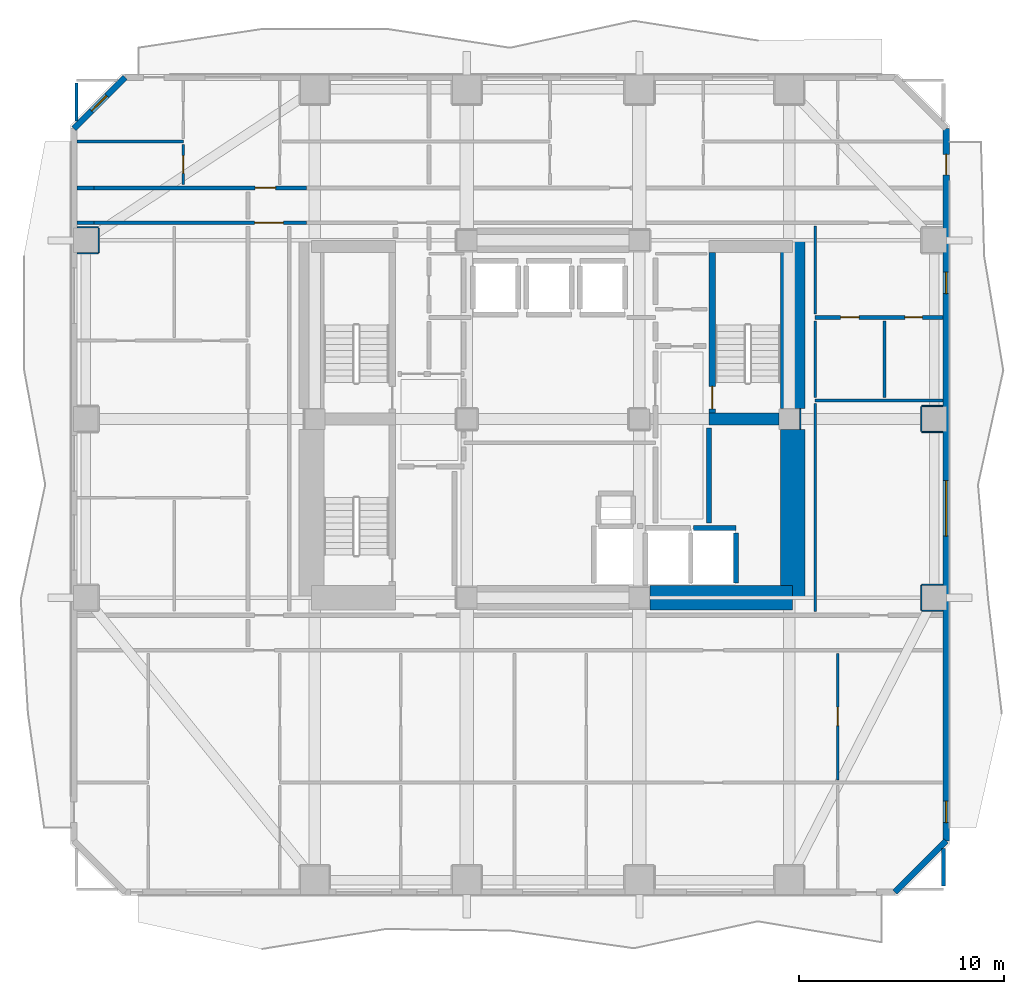
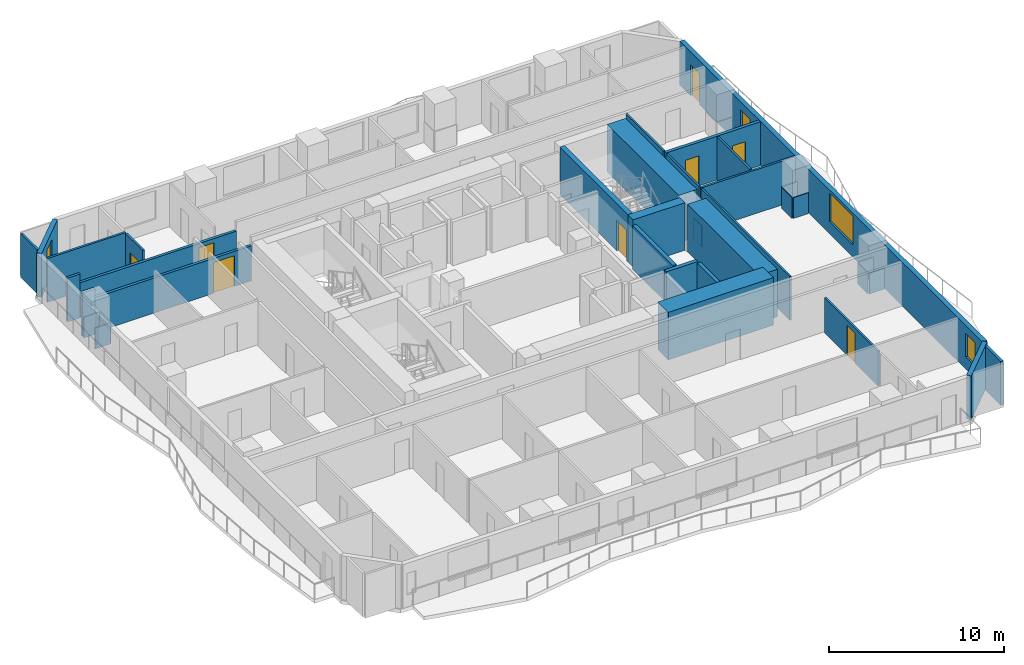
# One storey, part 5 of 11: 36 walls, 8 doors, 4 windows, 12 openings.
"""IFC4 building model written with IfcOpenShell, lengths in metres."""

from ifc_helpers import new_model, si_unit, direction, frame, frame_2d, origin, place, context, subcontext, project, spatial, rectangle, extrude, material, layer, layer_set, type_object, element, fill, save


model = new_model("IFC4")

# Units and contexts
model_context = context("Model", 3, precision=1e-05, world=origin(), true_north=direction((0.0, 1.0)))
body_context = subcontext(model_context, "Body", "Model", "MODEL_VIEW")
ifc_project = project(units=[si_unit("LENGTHUNIT", "METRE"), si_unit("AREAUNIT", "SQUARE_METRE"), si_unit("VOLUMEUNIT", "CUBIC_METRE"), si_unit("PLANEANGLEUNIT", "RADIAN"), si_unit("MASSUNIT", "GRAM", prefix="KILO")], contexts=[model_context])

# Site, building, storey
site_placement = place(None, origin())
site = spatial("IfcSite", under=ifc_project, at=site_placement, CompositionType="ELEMENT")
building_placement = place(site_placement, origin())
building = spatial("IfcBuilding", under=site, at=building_placement, Name="Solanera Arch Residences", CompositionType="ELEMENT")
storey_placement = place(building_placement, frame((0.0, 0.0, 28.639892578125)))
storey = spatial("IfcBuildingStorey", under=building, at=storey_placement, Name="L07", CompositionType="ELEMENT", Elevation=28.639892578125)

# Walls
ifc_material_1 = material(Name="Fire-Rated Gypsum Stud Partition", Category="gypsum")
ifc_layer_1 = layer(ifc_material_1, 0.06005859375)
ifc_layer_set_1 = layer_set([ifc_layer_1], Name="Fire-Rated Gypsum Stud Partition")
wall_type_1 = type_object("IfcWallType", Name="Column Acoustic Furring Wall 60", PredefinedType="PARTITIONING", material=ifc_layer_set_1)
wall_1_placement = place(storey_placement, frame((37.031982421875, 30.2099609375, 0.0), z_axis=(0.0, 0.0, 1.0), x_axis=(0.0, 1.0, 0.0)))
element("IfcWall", 1, at=wall_1_placement, inside=storey, type_object=wall_type_1, Name="L07 Column Furring 6E", PredefinedType="PARTITIONING", context=body_context, shape_type="SweptSolid", body=[
    extrude(rectangle(XDim=0.97998046875, YDim=0.06005859375, at=frame_2d((0.489990234375, 0.0))), origin(), (0.0, 0.0, 1.0), 1.4501953125),
])
for number, where, z_axis, x_axis, name in (
    (2, (42.949951171875, 21.367919921875, 0.0), (0.0, 0.0, 1.0), (1.0, 0.0, 0.0), "L07 Column Furring 18S"),
    (3, (42.949951171875, 22.632080078125, 0.0), (0.0, 0.0, 1.0), (1.0, 0.0, 0.0), "L07 Column Furring 18N"),
):
    element("IfcWall", number, at=place(storey_placement, frame(where, z_axis=z_axis, x_axis=x_axis)), inside=storey, type_object=wall_type_1, Name=name, PredefinedType="PARTITIONING", context=body_context, shape_type="SweptSolid", body=[
        extrude(rectangle(XDim=1.02001953125, YDim=0.06005859375, at=frame_2d((0.510009765625, 0.0))), origin(), (0.0, 0.0, 1.0), 1.4501953125),
    ])
wall_2_placement = place(storey_placement, frame((42.91796875, 21.39990234375, 0.0), z_axis=(0.0, 0.0, 1.0), x_axis=(0.0, 1.0, 0.0)))
element("IfcWall", 4, at=wall_2_placement, inside=storey, type_object=wall_type_1, Name="L07 Column Furring 18W", PredefinedType="PARTITIONING", context=body_context, shape_type="SweptSolid", body=[
    extrude(rectangle(XDim=1.2001953125, YDim=0.06005859375, at=frame_2d((0.60009765625, 0.0))), origin(), (0.0, 0.0, 1.0), 1.4501953125),
])
for number, where, z_axis, x_axis, name in (
    (5, (42.949951171875, 30.068115234375, 0.0), (0.0, 0.0, 1.0), (1.0, 0.0, 0.0), "L07 Column Furring 20S"),
    (6, (42.949951171875, 31.33203125, 0.0), (0.0, 0.0, 1.0), (1.0, 0.0, 0.0), "L07 Column Furring 20N"),
):
    element("IfcWall", number, at=place(storey_placement, frame(where, z_axis=z_axis, x_axis=x_axis)), inside=storey, type_object=wall_type_1, Name=name, PredefinedType="PARTITIONING", context=body_context, shape_type="SweptSolid", body=[
        extrude(rectangle(XDim=1.02001953125, YDim=0.06005859375, at=frame_2d((0.510009765625, 0.0))), origin(), (0.0, 0.0, 1.0), 1.4501953125),
    ])
wall_3_placement = place(storey_placement, frame((42.91796875, 30.10009765625, 0.0), z_axis=(0.0, 0.0, 1.0), x_axis=(0.0, 1.0, 0.0)))
element("IfcWall", 7, at=wall_3_placement, inside=storey, type_object=wall_type_1, Name="L07 Column Furring 20W", PredefinedType="PARTITIONING", context=body_context, shape_type="SweptSolid", body=[
    extrude(rectangle(XDim=1.199951171875, YDim=0.06005859375, at=frame_2d((0.60009765625, 0.0))), origin(), (0.0, 0.0, 1.0), 1.4501953125),
])
for number, where, z_axis, x_axis, name in (
    (8, (1.830078125, 38.76806640625, 0.0), (0.0, 0.0, 1.0), (1.0, 0.0, 0.0), "L07 Column Furring 21S"),
    (9, (1.830078125, 40.031982421875, 0.0), (0.0, 0.0, 1.0), (1.0, 0.0, 0.0), "L07 Column Furring 21N"),
):
    element("IfcWall", number, at=place(storey_placement, frame(where, z_axis=z_axis, x_axis=x_axis)), inside=storey, type_object=wall_type_1, Name=name, PredefinedType="PARTITIONING", context=body_context, shape_type="SweptSolid", body=[
        extrude(rectangle(XDim=1.02001953125, YDim=0.06005859375, at=frame_2d((0.510009765625, 0.0))), origin(), (0.0, 0.0, 1.0), 1.4501953125),
    ])
wall_4_placement = place(storey_placement, frame((2.882080078125, 38.800048828125, 0.0), z_axis=(0.0, 0.0, 1.0), x_axis=(0.0, 1.0, 0.0)))
element("IfcWall", 10, at=wall_4_placement, inside=storey, type_object=wall_type_1, Name="L07 Column Furring 21E", PredefinedType="PARTITIONING", context=body_context, shape_type="SweptSolid", body=[
    extrude(rectangle(XDim=1.199951171875, YDim=0.06005859375, at=frame_2d((0.60009765625, 0.0))), origin(), (0.0, 0.0, 1.0), 1.4501953125),
])
ifc_material_2 = material(Name="Concrete C55/67 (f'c = 60 MPa)", Category="concrete")
ifc_layer_2 = layer(ifc_material_2, 1.199951171875)
ifc_layer_set_2 = layer_set([ifc_layer_2], Name="Concrete C55/67 (f'c = 60 MPa)")
wall_type_2 = type_object("IfcWallType", Name="Core Shear Wall CW-1200", PredefinedType="SHEAR", material=ifc_layer_set_2)
wall_5_placement = place(storey_placement, frame((36.659912109375, 22.0, 0.0), z_axis=(0.0, 0.0, 1.0), x_axis=(0.0, 1.0, 0.0)))
element("IfcWall", 11, at=wall_5_placement, inside=storey, type_object=wall_type_2, Name="L07 East Core South Shear Wall", PredefinedType="SHEAR", context=body_context, shape_type="SweptSolid", body=[
    extrude(rectangle(XDim=8.195068359375, YDim=1.199951171875, at=frame_2d((4.09765625, 0.0))), origin(), (0.0, 0.0, 1.0), 3.320068359375),
])
wall_6_placement = place(storey_placement, frame((36.659912109375, 31.205078125, 0.0), z_axis=(0.0, 0.0, 1.0), x_axis=(0.0, 1.0, 0.0)))
element("IfcWall", 12, at=wall_6_placement, inside=storey, type_object=wall_type_2, Name="L07 East Core North Shear Wall", PredefinedType="SHEAR", context=body_context, shape_type="SweptSolid", body=[
    extrude(rectangle(XDim=8.19482421875, YDim=1.199951171875, at=frame_2d((4.097412109375, 0.0))), origin(), (0.0, 0.0, 1.0), 3.320068359375),
])
wall_7_placement = place(storey_placement, frame((29.705078125, 22.0, 0.0), z_axis=(0.0, 0.0, 1.0), x_axis=(1.0, 0.0, 0.0)))
element("IfcWall", 13, at=wall_7_placement, inside=storey, type_object=wall_type_2, Name="L07 South-East Core Shear Wall", PredefinedType="SHEAR", context=body_context, shape_type="SweptSolid", body=[
    extrude(rectangle(XDim=6.954833984375, YDim=1.199951171875, at=frame_2d((3.4775390625, 0.0))), origin(), (0.0, 0.0, 1.0), 3.320068359375),
])

# Wall, opening, door
ifc_material_3 = material(Name="Concrete C40/50 (f'c = 45 MPa)", Category="concrete")
ifc_layer_3 = layer(ifc_material_3, 0.320068359375)
ifc_layer_set_3 = layer_set([ifc_layer_3], Name="Concrete C40/50 (f'c = 45 MPa)")
wall_type_3 = type_object("IfcWallType", Name="Core Shear Wall CW-320", PredefinedType="SHEAR", material=ifc_layer_set_3)
wall_8_placement = place(storey_placement, frame((32.739990234375, 31.0, 0.0), z_axis=(0.0, 0.0, 1.0), x_axis=(0.0, 1.0, 0.0)))
wall_8 = element("IfcWall", 14, at=wall_8_placement, inside=storey, type_object=wall_type_3, Name="L07 Stair ST-T2 West Shear Wall", PredefinedType="SHEAR", context=body_context, shape_type="SweptSolid", body=[
    extrude(rectangle(XDim=7.800048828125, YDim=0.320068359375, at=frame_2d((3.89990234375, 0.0))), origin(), (0.0, 0.0, 1.0), 3.320068359375),
])
opening_1_placement = place(wall_8_placement, frame((0.18994140625, 0.0, 0.0)))
opening_1 = element("IfcOpeningElement", 15, at=opening_1_placement, cuts=wall_8, Name="Opening DF-01", PredefinedType="OPENING", context=body_context, shape_type="SweptSolid", body=[
    extrude(rectangle(XDim=1.10009765625, YDim=2.14990234375, at=frame_2d((0.550048828125, 1.074951171875))), frame((0.0, 0.169921875, 0.0), z_axis=(0.0, -1.0, 0.0), x_axis=(1.0, 0.0, 0.0)), (0.0, 0.0, 1.0), 0.3401),
])
ifc_material_4 = material(Name="Fire-Rated Architectural Hardwood", Category="wood")
door_type_1 = type_object("IfcDoorType", Name="Stair Exit Fire Door DF-01", OperationType="NOTDEFINED", PredefinedType="DOOR", material=ifc_material_4)
door_1_placement = place(opening_1_placement, origin())
door_1 = element("IfcDoor", 16, at=door_1_placement, inside=storey, type_object=door_type_1, Name="DR-L07-STAIR-ST-T2", OperationType="SINGLE_SWING_LEFT", OverallHeight=2.14990234375, OverallWidth=1.10009765625, PredefinedType="DOOR", context=body_context, shape_type="SweptSolid", body=[
    extrude(rectangle(XDim=1.10009765625, YDim=2.14990234375, at=frame_2d((0.550048828125, 1.074951171875))), frame((0.0, 0.02490234375, 0.0), z_axis=(0.0, -1.0, 0.0), x_axis=(1.0, 0.0, 0.0)), (0.0, 0.0, 1.0), 0.050048828125),
])
fill(opening_1, door_1)

# Walls
ifc_material_5 = material(Name="Concrete C40/50 (f'c = 45 MPa)", Category="concrete")
ifc_layer_4 = layer(ifc_material_5, 0.60009765625)
ifc_layer_set_4 = layer_set([ifc_layer_4], Name="Concrete C40/50 (f'c = 45 MPa)")
wall_type_4 = type_object("IfcWallType", Name="Core Shear Wall CW-600", PredefinedType="SHEAR", material=ifc_layer_set_4)
wall_9_placement = place(storey_placement, frame((32.580078125, 30.699951171875, 0.0), z_axis=(0.0, 0.0, 1.0), x_axis=(1.0, 0.0, 0.0)))
element("IfcWall", 17, at=wall_9_placement, inside=storey, type_object=wall_type_4, Name="L07 East Stair Far-Landing Shear Wall", PredefinedType="SHEAR", context=body_context, shape_type="SweptSolid", body=[
    extrude(rectangle(XDim=3.4150390625, YDim=0.60009765625, at=frame_2d((1.70751953125, 0.0))), origin(), (0.0, 0.0, 1.0), 3.320068359375),
])
ifc_material_6 = material(Name="Autoclaved Aerated Concrete Blockwork", Category="masonry")
ifc_layer_5 = layer(ifc_material_6, 0.179931640625)
ifc_layer_set_5 = layer_set([ifc_layer_5], Name="Autoclaved Aerated Concrete Blockwork")
wall_type_5 = type_object("IfcWallType", Name="Corridor Fire Partition 180", PredefinedType="PARTITIONING", material=ifc_layer_set_5)
wall_10_placement = place(storey_placement, frame((1.826904296875, 40.25, 0.0), z_axis=(0.0, 0.0, 1.0), x_axis=(1.0, 0.0, 0.0)))
element("IfcWall", 18, at=wall_10_placement, inside=storey, type_object=wall_type_5, Name="L07 Interior Partition H11 1", PredefinedType="PARTITIONING", context=body_context, shape_type="SweptSolid", body=[
    extrude(rectangle(XDim=0.833984375, YDim=0.179931640625, at=frame_2d((0.4169921875, 0.0))), origin(), (0.0, 0.0, 1.0), 3.06005859375),
])

# Wall, opening, door
wall_11_placement = place(storey_placement, frame((2.660888671875, 40.25, 0.0), z_axis=(0.0, 0.0, 1.0), x_axis=(1.0, 0.0, 0.0)))
wall_11 = element("IfcWall", 19, at=wall_11_placement, inside=storey, type_object=wall_type_5, Name="L07 Interior Partition H11 2", PredefinedType="PARTITIONING", context=body_context, shape_type="SweptSolid", body=[
    extrude(rectangle(XDim=10.328125, YDim=0.179931640625, at=frame_2d((5.1640625, 0.0))), origin(), (0.0, 0.0, 1.0), 2.445068359375),
])
opening_2_placement = place(wall_11_placement, frame((7.81298828125, 0.0, 0.0)))
opening_2 = element("IfcOpeningElement", 20, at=opening_2_placement, cuts=wall_11, Name="Opening DF-03", PredefinedType="OPENING", context=body_context, shape_type="SweptSolid", body=[
    extrude(rectangle(XDim=1.39990234375, YDim=2.14990234375, at=frame_2d((0.699951171875, 1.074951171875))), frame((0.0, 0.10009765625, 0.0), z_axis=(0.0, -1.0, 0.0), x_axis=(1.0, 0.0, 0.0)), (0.0, 0.0, 1.0), 0.1999),
])
ifc_material_7 = material(Name="Fire-Rated Architectural Hardwood", Category="wood")
door_type_2 = type_object("IfcDoorType", Name="Corridor Smoke Door DF-03", OperationType="NOTDEFINED", PredefinedType="DOOR", material=ifc_material_7)
door_2_placement = place(opening_2_placement, origin())
door_2 = element("IfcDoor", 21, at=door_2_placement, inside=storey, type_object=door_type_2, Name="DR-L07-IN-011", OperationType="SINGLE_SWING_RIGHT", OverallHeight=2.14990234375, OverallWidth=1.39990234375, PredefinedType="DOOR", context=body_context, shape_type="SweptSolid", body=[
    extrude(rectangle(XDim=1.39990234375, YDim=2.14990234375, at=frame_2d((0.699951171875, 1.074951171875))), frame((0.0, 0.02490234375, 0.0), z_axis=(0.0, -1.0, 0.0), x_axis=(1.0, 0.0, 0.0)), (0.0, 0.0, 1.0), 0.050048828125),
])
fill(opening_2, door_2)

# Wall
wall_12_placement = place(storey_placement, frame((1.826904296875, 41.949951171875, 0.0), z_axis=(0.0, 0.0, 1.0), x_axis=(1.0, 0.0, 0.0)))
element("IfcWall", 22, at=wall_12_placement, inside=storey, type_object=wall_type_5, Name="L07 Interior Partition H12 1", PredefinedType="PARTITIONING", context=body_context, shape_type="SweptSolid", body=[
    extrude(rectangle(XDim=0.833984375, YDim=0.179931640625, at=frame_2d((0.4169921875, 0.0))), origin(), (0.0, 0.0, 1.0), 3.06005859375),
])

# Wall, opening, door
wall_13_placement = place(storey_placement, frame((2.660888671875, 41.949951171875, 0.0), z_axis=(0.0, 0.0, 1.0), x_axis=(1.0, 0.0, 0.0)))
wall_13 = element("IfcWall", 23, at=wall_13_placement, inside=storey, type_object=wall_type_5, Name="L07 Interior Partition H12 2", PredefinedType="PARTITIONING", context=body_context, shape_type="SweptSolid", body=[
    extrude(rectangle(XDim=10.328125, YDim=0.179931640625, at=frame_2d((5.1640625, 0.0))), origin(), (0.0, 0.0, 1.0), 2.445068359375),
])
opening_3_placement = place(wall_13_placement, frame((7.833984375, 0.0, 0.0)))
opening_3 = element("IfcOpeningElement", 24, at=opening_3_placement, cuts=wall_13, Name="Opening DI-01", PredefinedType="OPENING", context=body_context, shape_type="SweptSolid", body=[
    extrude(rectangle(XDim=1.0, YDim=2.14990234375, at=frame_2d((0.5, 1.074951171875))), frame((0.0, 0.10009765625, 0.0), z_axis=(0.0, -1.0, 0.0), x_axis=(1.0, 0.0, 0.0)), (0.0, 0.0, 1.0), 0.1999),
])
ifc_material_8 = material(Name="Fire-Rated Architectural Hardwood", Category="wood")
door_type_3 = type_object("IfcDoorType", Name="Unit Entrance Fire Door DI-01", OperationType="NOTDEFINED", PredefinedType="DOOR", material=ifc_material_8)
door_3_placement = place(opening_3_placement, origin())
door_3 = element("IfcDoor", 25, at=door_3_placement, inside=storey, type_object=door_type_3, Name="DR-L07-IN-028", OperationType="SINGLE_SWING_LEFT", OverallHeight=2.14990234375, OverallWidth=1.0, PredefinedType="DOOR", context=body_context, shape_type="SweptSolid", body=[
    extrude(rectangle(XDim=1.0, YDim=2.14990234375, at=frame_2d((0.5, 1.074951171875))), frame((0.0, 0.02490234375, 0.0), z_axis=(0.0, -1.0, 0.0), x_axis=(1.0, 0.0, 0.0)), (0.0, 0.0, 1.0), 0.050048828125),
])
fill(opening_3, door_3)

# Wall
wall_14_placement = place(storey_placement, frame((44.0, 7.9580078125, 0.0), z_axis=(0.0, 0.0, 1.0), x_axis=(0.0, 1.0, 0.0)))
element("IfcWall", 26, at=wall_14_placement, inside=storey, type_object=wall_type_5, Name="L07 Interior Partition V10 1", PredefinedType="PARTITIONING", context=body_context, shape_type="SweptSolid", body=[
    extrude(rectangle(XDim=1.843017578125, YDim=0.179931640625, at=frame_2d((0.92138671875, 0.0))), origin(), (0.0, 0.0, 1.0), 3.06005859375),
])

# Wall, opening, window
ifc_material_9 = material(Name="Precast Concrete C35/45", Category="concrete")
ifc_layer_6 = layer(ifc_material_9, 0.300048828125)
ifc_layer_set_6 = layer_set([ifc_layer_6], Name="Precast Concrete C35/45")
wall_type_6 = type_object("IfcWallType", Name="Exterior Wall Precast Masonry-Frame 300", PredefinedType="STANDARD", material=ifc_layer_set_6)
wall_15_placement = place(storey_placement, frame((1.6650390625, 44.8349609375, 0.0), z_axis=(0.0, 0.0, 1.0), x_axis=(0.707106781187, 0.707106781187, 0.0)))
wall_15 = element("IfcWall", 27, at=wall_15_placement, inside=storey, type_object=wall_type_6, Name="L07 Tower Exterior Precast Masonry-Frame Wall CH1", PredefinedType="STANDARD", context=body_context, shape_type="SweptSolid", body=[
    extrude(rectangle(XDim=3.53564453125, YDim=0.300048828125, at=frame_2d((1.767822265625, 0.0))), origin(), (0.0, 0.0, 1.0), 3.06005859375),
])
opening_4_placement = place(wall_15_placement, frame((1.219970703125, 0.0, 0.85009765625)))
opening_4 = element("IfcOpeningElement", 28, at=opening_4_placement, cuts=wall_15, Name="Opening W-07", PredefinedType="OPENING", context=body_context, shape_type="SweptSolid", body=[
    extrude(rectangle(XDim=1.050048828125, YDim=1.64990234375, at=frame_2d((0.52490234375, 0.824951171875))), frame((0.0, 0.159912109375, 0.0), z_axis=(0.0, -1.0, 0.0), x_axis=(1.0, 0.0, 0.0)), (0.0, 0.0, 1.0), 0.32),
])
ifc_material_10 = material(Name="Double Glazed Low-E Laminated Glass", Category="glass")
window_type_1 = type_object("IfcWindowType", Name="Punched Window W-07", PartitioningType="SINGLE_PANEL", PredefinedType="WINDOW", material=ifc_material_10)
window_1_placement = place(opening_4_placement, origin())
window_1 = element("IfcWindow", 29, at=window_1_placement, inside=storey, type_object=window_type_1, Name="L07 0703-BR1 Corner Punched Window", OverallHeight=1.64990234375, OverallWidth=1.050048828125, PartitioningType="SINGLE_PANEL", PredefinedType="WINDOW", context=body_context, shape_type="SweptSolid", body=[
    extrude(rectangle(XDim=1.050048828125, YDim=1.64990234375, at=frame_2d((0.52490234375, 0.824951171875))), frame((0.0, 0.030029296875, 0.0), z_axis=(0.0, -1.0, 0.0), x_axis=(1.0, 0.0, 0.0)), (0.0, 0.0, 1.0), 0.06005859375),
])
fill(opening_4, window_1)

# Wall, openings, door, windows
wall_16_placement = place(storey_placement, frame((44.135009765625, 44.8349609375, 0.0), z_axis=(0.0, 0.0, 1.0), x_axis=(0.0, -1.0, 0.0)))
wall_16 = element("IfcWall", 30, at=wall_16_placement, inside=storey, type_object=wall_type_6, Name="L07 Tower Exterior Precast Masonry-Frame Wall E", PredefinedType="STANDARD", context=body_context, shape_type="SweptSolid", body=[
    extrude(rectangle(XDim=34.669921875, YDim=0.300048828125, at=frame_2d((17.3349609375, 0.0))), origin(), (0.0, 0.0, 1.0), 3.06005859375),
])
opening_5_placement = place(wall_16_placement, frame((1.2509765625, 0.0, 0.0)))
opening_5 = element("IfcOpeningElement", 31, at=opening_5_placement, cuts=wall_16, Name="Opening DB-01", PredefinedType="OPENING", context=body_context, shape_type="SweptSolid", body=[
    extrude(rectangle(XDim=1.0, YDim=2.14990234375, at=frame_2d((0.5, 1.074951171875))), frame((0.0, 0.159912109375, 0.0), z_axis=(0.0, -1.0, 0.0), x_axis=(1.0, 0.0, 0.0)), (0.0, 0.0, 1.0), 0.32),
])
opening_6_placement = place(wall_16_placement, frame((32.73291015625, 0.0, 0.85009765625)))
opening_6 = element("IfcOpeningElement", 32, at=opening_6_placement, cuts=wall_16, Name="Opening W-07", PredefinedType="OPENING", context=body_context, shape_type="SweptSolid", body=[
    extrude(rectangle(XDim=1.050048828125, YDim=1.64990234375, at=frame_2d((0.52490234375, 0.824951171875))), frame((0.0, 0.159912109375, 0.0), z_axis=(0.0, -1.0, 0.0), x_axis=(1.0, 0.0, 0.0)), (0.0, 0.0, 1.0), 0.32),
])
opening_7_placement = place(wall_16_placement, frame((17.135009765625, 0.0, 0.85009765625)))
opening_7 = element("IfcOpeningElement", 33, at=opening_7_placement, cuts=wall_16, Name="Opening W-09", PredefinedType="OPENING", context=body_context, shape_type="SweptSolid", body=[
    extrude(rectangle(XDim=2.699951171875, YDim=2.0, at=frame_2d((1.35009765625, 1.0))), frame((0.0, 0.159912109375, 0.0), z_axis=(0.0, -1.0, 0.0), x_axis=(1.0, 0.0, 0.0)), (0.0, 0.0, 1.0), 0.32),
])
opening_8_placement = place(wall_16_placement, frame((6.98388671875, 0.0, 0.85009765625)))
opening_8 = element("IfcOpeningElement", 34, at=opening_8_placement, cuts=wall_16, Name="Opening W-07", PredefinedType="OPENING", context=body_context, shape_type="SweptSolid", body=[
    extrude(rectangle(XDim=1.050048828125, YDim=1.64990234375, at=frame_2d((0.52490234375, 0.824951171875))), frame((0.0, 0.159912109375, 0.0), z_axis=(0.0, -1.0, 0.0), x_axis=(1.0, 0.0, 0.0)), (0.0, 0.0, 1.0), 0.32),
])
ifc_material_11 = material(Name="Anodised Aluminium Alloy 6063-T6", Category="aluminium")
door_type_4 = type_object("IfcDoorType", Name="Glazed Balcony Swing Door DB-01", OperationType="NOTDEFINED", PredefinedType="DOOR", material=ifc_material_11)
door_4_placement = place(opening_5_placement, origin())
door_4 = element("IfcDoor", 35, at=door_4_placement, inside=storey, type_object=door_type_4, Name="DR-L07-OUT-03", OperationType="SINGLE_SWING_LEFT", OverallHeight=2.14990234375, OverallWidth=1.0, PredefinedType="DOOR", context=body_context, shape_type="SweptSolid", body=[
    extrude(rectangle(XDim=1.0, YDim=2.14990234375, at=frame_2d((0.5, 1.074951171875))), frame((0.0, 0.02490234375, 0.0), z_axis=(0.0, -1.0, 0.0), x_axis=(1.0, 0.0, 0.0)), (0.0, 0.0, 1.0), 0.050048828125),
])
fill(opening_5, door_4)
window_2_placement = place(opening_6_placement, origin())
window_2 = element("IfcWindow", 36, at=window_2_placement, inside=storey, type_object=window_type_1, Name="L07 0702-BR2 Punched Window", OverallHeight=1.64990234375, OverallWidth=1.050048828125, PartitioningType="SINGLE_PANEL", PredefinedType="WINDOW", context=body_context, shape_type="SweptSolid", body=[
    extrude(rectangle(XDim=1.050048828125, YDim=1.64990234375, at=frame_2d((0.52490234375, 0.824951171875))), frame((0.0, 0.030029296875, 0.0), z_axis=(0.0, -1.0, 0.0), x_axis=(1.0, 0.0, 0.0)), (0.0, 0.0, 1.0), 0.06005859375),
])
fill(opening_6, window_2)
window_3_placement = place(opening_8_placement, origin())
window_3 = element("IfcWindow", 37, at=window_3_placement, inside=storey, type_object=window_type_1, Name="L07 0706-LIV Punched Window", OverallHeight=1.64990234375, OverallWidth=1.050048828125, PartitioningType="SINGLE_PANEL", PredefinedType="WINDOW", context=body_context, shape_type="SweptSolid", body=[
    extrude(rectangle(XDim=1.050048828125, YDim=1.64990234375, at=frame_2d((0.52490234375, 0.824951171875))), frame((0.0, 0.030029296875, 0.0), z_axis=(0.0, -1.0, 0.0), x_axis=(1.0, 0.0, 0.0)), (0.0, 0.0, 1.0), 0.06005859375),
])
fill(opening_8, window_3)
ifc_material_12 = material(Name="Double Glazed Low-E Laminated Glass", Category="glass")
window_type_2 = type_object("IfcWindowType", Name="Punched Window W-09", PartitioningType="TRIPLE_PANEL_VERTICAL", PredefinedType="WINDOW", material=ifc_material_12)
window_4_placement = place(opening_7_placement, origin())
window_4 = element("IfcWindow", 38, at=window_4_placement, inside=storey, type_object=window_type_2, Name="L07 AMN-STDE Punched Window", OverallHeight=2.0, OverallWidth=2.699951171875, PartitioningType="SINGLE_PANEL", PredefinedType="WINDOW", context=body_context, shape_type="SweptSolid", body=[
    extrude(rectangle(XDim=2.699951171875, YDim=2.0, at=frame_2d((1.35009765625, 1.0))), frame((0.0, 0.030029296875, 0.0), z_axis=(0.0, -1.0, 0.0), x_axis=(1.0, 0.0, 0.0)), (0.0, 0.0, 1.0), 0.06005859375),
])
fill(opening_7, window_4)

# Wall
wall_17_placement = place(storey_placement, frame((44.135009765625, 10.1650390625, 0.0), z_axis=(0.0, 0.0, 1.0), x_axis=(-0.707106781187, -0.707106781187, 0.0)))
element("IfcWall", 39, at=wall_17_placement, inside=storey, type_object=wall_type_6, Name="L07 Tower Exterior Precast Masonry-Frame Wall CH5", PredefinedType="STANDARD", context=body_context, shape_type="SweptSolid", body=[
    extrude(rectangle(XDim=3.53564453125, YDim=0.300048828125, at=frame_2d((1.767822265625, 0.0))), origin(), (0.0, 0.0, 1.0), 3.06005859375),
])

# Wall, openings, doors
ifc_material_13 = material(Name="Autoclaved Aerated Concrete Blockwork", Category="masonry")
ifc_layer_7 = layer(ifc_material_13, 0.199951171875)
ifc_layer_set_7 = layer_set([ifc_layer_7], Name="Autoclaved Aerated Concrete Blockwork")
wall_type_7 = type_object("IfcWallType", Name="Party Wall Acoustic 200", PredefinedType="PARTITIONING", material=ifc_layer_set_7)
wall_18_placement = place(storey_placement, frame((37.75, 35.64990234375, 0.0), z_axis=(0.0, 0.0, 1.0), x_axis=(1.0, 0.0, 0.0)))
wall_18 = element("IfcWall", 40, at=wall_18_placement, inside=storey, type_object=wall_type_7, Name="L07 Interior Partition H7", PredefinedType="PARTITIONING", context=body_context, shape_type="SweptSolid", body=[
    extrude(rectangle(XDim=6.222900390625, YDim=0.199951171875, at=frame_2d((3.111328125, 0.0))), origin(), (0.0, 0.0, 1.0), 3.06005859375),
])
opening_9_placement = place(wall_18_placement, frame((1.25, 0.0, 0.0)))
opening_9 = element("IfcOpeningElement", 41, at=opening_9_placement, cuts=wall_18, Name="Opening DI-02", PredefinedType="OPENING", context=body_context, shape_type="SweptSolid", body=[
    extrude(rectangle(XDim=0.89990234375, YDim=2.10009765625, at=frame_2d((0.449951171875, 1.050048828125))), frame((0.0, 0.110107421875, 0.0), z_axis=(0.0, -1.0, 0.0), x_axis=(1.0, 0.0, 0.0)), (0.0, 0.0, 1.0), 0.22),
])
opening_10_placement = place(wall_18_placement, frame((4.3701171875, 0.0, 0.0)))
opening_10 = element("IfcOpeningElement", 42, at=opening_10_placement, cuts=wall_18, Name="Opening DI-05", PredefinedType="OPENING", context=body_context, shape_type="SweptSolid", body=[
    extrude(rectangle(XDim=0.860107421875, YDim=2.02001953125, at=frame_2d((0.43017578125, 1.010009765625))), frame((0.0, 0.110107421875, 0.0), z_axis=(0.0, -1.0, 0.0), x_axis=(1.0, 0.0, 0.0)), (0.0, 0.0, 1.0), 0.22),
])
ifc_material_14 = material(Name="Fire-Rated Architectural Hardwood", Category="wood")
door_type_5 = type_object("IfcDoorType", Name="Bathroom Swing Door DI-05", OperationType="NOTDEFINED", PredefinedType="DOOR", material=ifc_material_14)
door_5_placement = place(opening_10_placement, origin())
door_5 = element("IfcDoor", 43, at=door_5_placement, inside=storey, type_object=door_type_5, Name="DR-L07-IN-048", OperationType="SINGLE_SWING_LEFT", OverallHeight=2.02001953125, OverallWidth=0.860107421875, PredefinedType="DOOR", context=body_context, shape_type="SweptSolid", body=[
    extrude(rectangle(XDim=0.860107421875, YDim=2.02001953125, at=frame_2d((0.43017578125, 1.010009765625))), frame((0.0, 0.02490234375, 0.0), z_axis=(0.0, -1.0, 0.0), x_axis=(1.0, 0.0, 0.0)), (0.0, 0.0, 1.0), 0.050048828125),
])
fill(opening_10, door_5)
ifc_material_15 = material(Name="Fire-Rated Architectural Hardwood", Category="wood")
door_type_6 = type_object("IfcDoorType", Name="Suite Room Swing Door DI-02", OperationType="NOTDEFINED", PredefinedType="DOOR", material=ifc_material_15)
door_6_placement = place(opening_9_placement, origin())
door_6 = element("IfcDoor", 44, at=door_6_placement, inside=storey, type_object=door_type_6, Name="DR-L07-IN-047", OperationType="SINGLE_SWING_RIGHT", OverallHeight=2.10009765625, OverallWidth=0.89990234375, PredefinedType="DOOR", context=body_context, shape_type="SweptSolid", body=[
    extrude(rectangle(XDim=0.89990234375, YDim=2.10009765625, at=frame_2d((0.449951171875, 1.050048828125))), frame((0.0, 0.02490234375, 0.0), z_axis=(0.0, -1.0, 0.0), x_axis=(1.0, 0.0, 0.0)), (0.0, 0.0, 1.0), 0.050048828125),
])
fill(opening_9, door_6)

# Walls
ifc_material_16 = material(Name="Autoclaved Aerated Concrete Blockwork", Category="masonry")
ifc_layer_8 = layer(ifc_material_16, 0.239990234375)
ifc_layer_set_8 = layer_set([ifc_layer_8], Name="Autoclaved Aerated Concrete Blockwork")
wall_type_8 = type_object("IfcWallType", Name="Shaft Wall Fire-Rated 240", PredefinedType="PARTITIONING", material=ifc_layer_set_8)
wall_19_placement = place(storey_placement, frame((31.827880859375, 25.39990234375, 0.0), z_axis=(0.0, 0.0, 1.0), x_axis=(1.0, 0.0, 0.0)))
element("IfcWall", 45, at=wall_19_placement, inside=storey, type_object=wall_type_8, Name="L07 Lift FFL-2 Hoistway Wall N", PredefinedType="PARTITIONING", context=body_context, shape_type="SweptSolid", body=[
    extrude(rectangle(XDim=2.072021484375, YDim=0.239990234375, at=frame_2d((1.0361328125, 0.0))), origin(), (0.0, 0.0, 1.0), 3.06005859375),
])
wall_20_placement = place(storey_placement, frame((33.89990234375, 22.72998046875, 0.0), z_axis=(0.0, 0.0, 1.0), x_axis=(0.0, 1.0, 0.0)))
element("IfcWall", 46, at=wall_20_placement, inside=storey, type_object=wall_type_8, Name="L07 Lift FFL-2 Hoistway Wall E", PredefinedType="PARTITIONING", context=body_context, shape_type="SweptSolid", body=[
    extrude(rectangle(XDim=2.422119140625, YDim=0.239990234375, at=frame_2d((1.2109375, 0.0))), origin(), (0.0, 0.0, 1.0), 3.06005859375),
])
wall_21_placement = place(storey_placement, frame((32.580078125, 25.64794921875, 0.0), z_axis=(0.0, 0.0, 1.0), x_axis=(0.0, 1.0, 0.0)))
element("IfcWall", 47, at=wall_21_placement, inside=storey, type_object=wall_type_8, Name="L07 Interior Partition V5", PredefinedType="PARTITIONING", context=body_context, shape_type="SweptSolid", body=[
    extrude(rectangle(XDim=4.6220703125, YDim=0.239990234375, at=frame_2d((2.31103515625, 0.0))), origin(), (0.0, 0.0, 1.0), 3.06005859375),
])
ifc_material_17 = material(Name="Fire-Rated Gypsum Stud Partition", Category="gypsum")
ifc_layer_9 = layer(ifc_material_17, 0.1201171875)
ifc_layer_set_9 = layer_set([ifc_layer_9], Name="Fire-Rated Gypsum Stud Partition")
wall_type_9 = type_object("IfcWallType", Name="Unit Drywall Partition 120", PredefinedType="PARTITIONING", material=ifc_layer_set_9)
wall_22_placement = place(storey_placement, frame((37.75, 21.337890625, 0.0), z_axis=(0.0, 0.0, 1.0), x_axis=(0.0, 1.0, 0.0)))
element("IfcWall", 48, at=wall_22_placement, inside=storey, type_object=wall_type_9, Name="L07 Interior Partition V26 1", PredefinedType="PARTITIONING", context=body_context, shape_type="SweptSolid", body=[
    extrude(rectangle(XDim=10.1240234375, YDim=0.1201171875, at=frame_2d((5.06201171875, 0.0))), origin(), (0.0, 0.0, 1.0), 3.06005859375),
])
wall_23_placement = place(storey_placement, frame((37.75, 31.738037109375, 0.0), z_axis=(0.0, 0.0, 1.0), x_axis=(0.0, 1.0, 0.0)))
element("IfcWall", 49, at=wall_23_placement, inside=storey, type_object=wall_type_9, Name="L07 Interior Partition V26 2", PredefinedType="PARTITIONING", context=body_context, shape_type="SweptSolid", body=[
    extrude(rectangle(XDim=3.743896484375, YDim=0.1201171875, at=frame_2d((1.8720703125, 0.0))), origin(), (0.0, 0.0, 1.0), 3.06005859375),
])
wall_24_placement = place(storey_placement, frame((37.75, 35.818115234375, 0.0), z_axis=(0.0, 0.0, 1.0), x_axis=(0.0, 1.0, 0.0)))
element("IfcWall", 50, at=wall_24_placement, inside=storey, type_object=wall_type_9, Name="L07 Interior Partition V26 3", PredefinedType="PARTITIONING", context=body_context, shape_type="SweptSolid", body=[
    extrude(rectangle(XDim=4.27392578125, YDim=0.1201171875, at=frame_2d((2.136962890625, 0.0))), origin(), (0.0, 0.0, 1.0), 3.06005859375),
])

# Wall, opening, door
wall_25_placement = place(storey_placement, frame((38.85498046875, 13.137939453125, 0.0), z_axis=(0.0, 0.0, 1.0), x_axis=(0.0, 1.0, 0.0)))
wall_25 = element("IfcWall", 51, at=wall_25_placement, inside=storey, type_object=wall_type_9, Name="L07 Interior Partition V27 3", PredefinedType="PARTITIONING", context=body_context, shape_type="SweptSolid", body=[
    extrude(rectangle(XDim=6.154052734375, YDim=0.1201171875, at=frame_2d((3.0771484375, 0.0))), origin(), (0.0, 0.0, 1.0), 2.445068359375),
])
opening_11_placement = place(wall_25_placement, frame((2.636962890625, 0.0, 0.0)))
opening_11 = element("IfcOpeningElement", 52, at=opening_11_placement, cuts=wall_25, Name="Opening DI-02", PredefinedType="OPENING", context=body_context, shape_type="SweptSolid", body=[
    extrude(rectangle(XDim=0.89990234375, YDim=2.10009765625, at=frame_2d((0.449951171875, 1.050048828125))), frame((0.0, 0.070068359375, 0.0), z_axis=(0.0, -1.0, 0.0), x_axis=(1.0, 0.0, 0.0)), (0.0, 0.0, 1.0), 0.1401),
])
door_7_placement = place(opening_11_placement, origin())
door_7 = element("IfcDoor", 53, at=door_7_placement, inside=storey, type_object=door_type_6, Name="DR-L07-IN-026", OperationType="SINGLE_SWING_LEFT", OverallHeight=2.10009765625, OverallWidth=0.89990234375, PredefinedType="DOOR", context=body_context, shape_type="SweptSolid", body=[
    extrude(rectangle(XDim=0.89990234375, YDim=2.10009765625, at=frame_2d((0.449951171875, 1.050048828125))), frame((0.0, 0.02490234375, 0.0), z_axis=(0.0, -1.0, 0.0), x_axis=(1.0, 0.0, 0.0)), (0.0, 0.0, 1.0), 0.050048828125),
])
fill(opening_11, door_7)

# Walls
ifc_material_18 = material(Name="Autoclaved Aerated Concrete Blockwork", Category="masonry")
ifc_layer_10 = layer(ifc_material_18, 0.139892578125)
ifc_layer_set_10 = layer_set([ifc_layer_10], Name="Autoclaved Aerated Concrete Blockwork")
wall_type_10 = type_object("IfcWallType", Name="Wet-Room Partition 140", PredefinedType="PARTITIONING", material=ifc_layer_set_10)
wall_26_placement = place(storey_placement, frame((37.75, 31.60009765625, 0.0), z_axis=(0.0, 0.0, 1.0), x_axis=(1.0, 0.0, 0.0)))
element("IfcWall", 54, at=wall_26_placement, inside=storey, type_object=wall_type_10, Name="L07 Interior Partition H15", PredefinedType="PARTITIONING", context=body_context, shape_type="SweptSolid", body=[
    extrude(rectangle(XDim=6.222900390625, YDim=0.139892578125, at=frame_2d((3.111328125, 0.0))), origin(), (0.0, 0.0, 1.0), 3.06005859375),
])
wall_27_placement = place(storey_placement, frame((1.826904296875, 44.2080078125, 0.0), z_axis=(0.0, 0.0, 1.0), x_axis=(1.0, 0.0, 0.0)))
element("IfcWall", 55, at=wall_27_placement, inside=storey, type_object=wall_type_10, Name="L07 Interior Partition H19", PredefinedType="PARTITIONING", context=body_context, shape_type="SweptSolid", body=[
    extrude(rectangle(XDim=5.169189453125, YDim=0.139892578125, at=frame_2d((2.58447265625, 0.0))), origin(), (0.0, 0.0, 1.0), 3.06005859375),
])
wall_28_placement = place(storey_placement, frame((1.800048828125, 45.198974609375, 0.0), z_axis=(0.0, 0.0, 1.0), x_axis=(0.0, 1.0, 0.0)))
element("IfcWall", 56, at=wall_28_placement, inside=storey, type_object=wall_type_10, Name="L07 Interior Partition V13", PredefinedType="PARTITIONING", context=body_context, shape_type="SweptSolid", body=[
    extrude(rectangle(XDim=1.863037109375, YDim=0.139892578125, at=frame_2d((0.931640625, 0.0))), origin(), (0.0, 0.0, 1.0), 3.06005859375),
])

# Wall, opening, door
wall_29_placement = place(storey_placement, frame((6.99609375, 42.117919921875, 0.0), z_axis=(0.0, 0.0, 1.0), x_axis=(0.0, 1.0, 0.0)))
wall_29 = element("IfcWall", 57, at=wall_29_placement, inside=storey, type_object=wall_type_10, Name="L07 Interior Partition V17 1", PredefinedType="PARTITIONING", context=body_context, shape_type="SweptSolid", body=[
    extrude(rectangle(XDim=1.942138671875, YDim=0.139892578125, at=frame_2d((0.97119140625, 0.0))), origin(), (0.0, 0.0, 1.0), 3.06005859375),
])
opening_12_placement = place(wall_29_placement, frame((0.5439453125, 0.0, 0.0)))
opening_12 = element("IfcOpeningElement", 58, at=opening_12_placement, cuts=wall_29, Name="Opening DI-05", PredefinedType="OPENING", context=body_context, shape_type="SweptSolid", body=[
    extrude(rectangle(XDim=0.860107421875, YDim=2.02001953125, at=frame_2d((0.43017578125, 1.010009765625))), frame((0.0, 0.079833984375, 0.0), z_axis=(0.0, -1.0, 0.0), x_axis=(1.0, 0.0, 0.0)), (0.0, 0.0, 1.0), 0.1599),
])
door_8_placement = place(opening_12_placement, origin())
door_8 = element("IfcDoor", 59, at=door_8_placement, inside=storey, type_object=door_type_5, Name="DR-L07-IN-029", OperationType="SINGLE_SWING_RIGHT", OverallHeight=2.02001953125, OverallWidth=0.860107421875, PredefinedType="DOOR", context=body_context, shape_type="SweptSolid", body=[
    extrude(rectangle(XDim=0.860107421875, YDim=2.02001953125, at=frame_2d((0.43017578125, 1.010009765625))), frame((0.0, 0.02490234375, 0.0), z_axis=(0.0, -1.0, 0.0), x_axis=(1.0, 0.0, 0.0)), (0.0, 0.0, 1.0), 0.050048828125),
])
fill(opening_12, door_8)

# Wall
wall_30_placement = place(storey_placement, frame((41.125, 31.748046875, 0.0), z_axis=(0.0, 0.0, 1.0), x_axis=(0.0, 1.0, 0.0)))
element("IfcWall", 60, at=wall_30_placement, inside=storey, type_object=wall_type_10, Name="L07 Interior Partition V21", PredefinedType="PARTITIONING", context=body_context, shape_type="SweptSolid", body=[
    extrude(rectangle(XDim=3.723876953125, YDim=0.139892578125, at=frame_2d((1.86181640625, 0.0))), origin(), (0.0, 0.0, 1.0), 3.06005859375),
])

save(model, "model.ifc")
